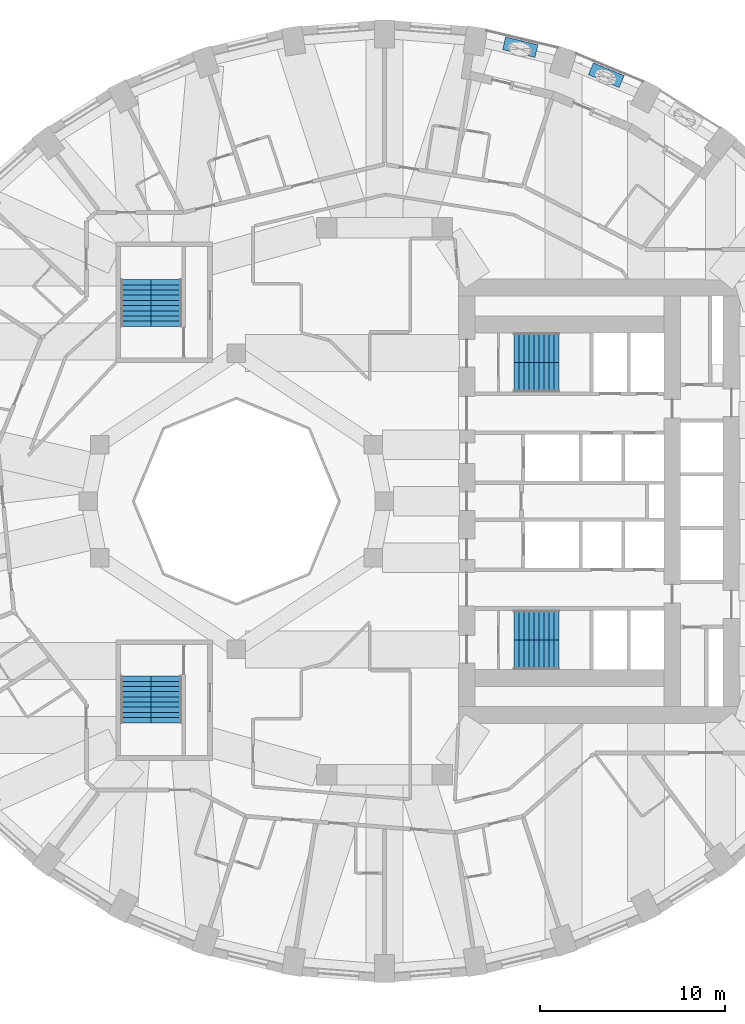
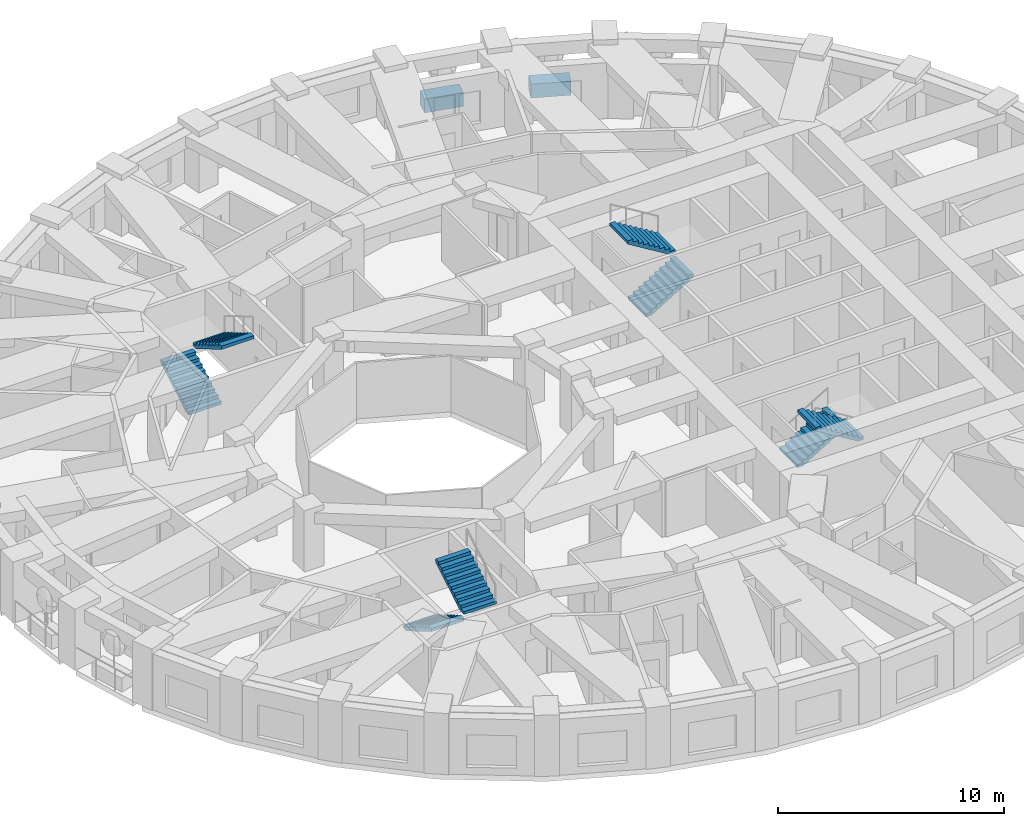
# One storey, part 10 of 13: 8 stair flights, 2 walls, 4 elements without a shape of their own.
"""IFC4 building model written with IfcOpenShell, lengths in metres."""

from ifc_helpers import new_model, si_unit, direction, frame, frame_2d, origin, place, context, subcontext, project, spatial, polyline, rectangle, outline, extrude, material, constituent, constituent_set, type_object, element, aggregate, save


model = new_model("IFC4")

# Units and contexts
model_context = context("Model", 3, precision=1e-05, world=origin(), true_north=direction((0.0, 1.0)))
body_context = subcontext(model_context, "Body", "Model", "MODEL_VIEW")
ifc_project = project(units=[si_unit("LENGTHUNIT", "METRE"), si_unit("AREAUNIT", "SQUARE_METRE"), si_unit("VOLUMEUNIT", "CUBIC_METRE"), si_unit("PLANEANGLEUNIT", "RADIAN"), si_unit("MASSUNIT", "GRAM", prefix="KILO")], contexts=[model_context])

# Site, building, storey
site_placement = place(None, origin())
site = spatial("IfcSite", under=ifc_project, at=site_placement, CompositionType="ELEMENT")
building_placement = place(site_placement, origin())
building = spatial("IfcBuilding", under=site, at=building_placement, Name="Taillehof Tower", CompositionType="ELEMENT")
storey_placement = place(building_placement, frame((0.0, 0.0, 67.89990234375)))
storey = spatial("IfcBuildingStorey", under=building, at=storey_placement, Name="L18", CompositionType="ELEMENT", Elevation=67.89990234375)

# Walls
ifc_material_1 = material(Name="Concrete C30/37 precast", Category="concrete")
ifc_constituent_1 = constituent(ifc_material_1, Name="Structure", Category="concrete")
ifc_material_2 = material(Name="Insulated lining")
ifc_constituent_2 = constituent(ifc_material_2, Name="Lining")
ifc_constituent_set = constituent_set(constituents=[ifc_constituent_1, ifc_constituent_2], Name="Planter trough 700x750")
wall_type = type_object("IfcWallType", Name="Planter trough 700x750", PredefinedType="USERDEFINED", material=ifc_constituent_set)
for number, where, z_axis, x_axis, name in (
    (1, (12.816650390625, 22.669677734375, 0.0), (0.0, 0.0, 1.0), (-0.923000660042, 0.384798364811, 0.0), "Planter L18 bay 7"),
    (2, (8.215087890625, 24.318115234375, 0.0), (0.0, 0.0, 1.0), (-0.972504142103, 0.232885580473, 0.0), "Planter L18 bay 8"),
):
    element("IfcWall", number, at=place(storey_placement, frame(where, z_axis=z_axis, x_axis=x_axis)), inside=storey, type_object=wall_type, Name=name, ObjectType="PLANTER", PredefinedType="USERDEFINED", context=body_context, shape_type="SweptSolid", body=[
        extrude(rectangle(XDim=1.800048828125, YDim=0.699951171875, at=frame_2d((0.89990234375, 0.0))), origin(), (0.0, 0.0, 1.0), 0.75),
    ])

# Stair, stair flights
ifc_material_3 = material(Name="Concrete C40/50", Category="concrete")
stair_type = type_object("IfcStairType", Name="Exit stair half-turn", PredefinedType="HALF_TURN_STAIR", material=ifc_material_3)
stair_1_placement = place(storey_placement, origin())
stair_1 = element("IfcStair", 3, at=stair_1_placement, inside=storey, type_object=stair_type, Name="Exit stair S1", PredefinedType="HALF_TURN_STAIR")
ifc_material_4 = material(Name="Concrete C40/50", Category="concrete")
stair_flight_type_1 = type_object("IfcStairFlightType", Name="Stair flight 1600 riser 165.0 going 270", PredefinedType="STRAIGHT", material=ifc_material_4)
stair_flight_1_placement = place(storey_placement, frame((7.0, 6.699951171875, 0.0), z_axis=(0.0, 0.0, 1.0), x_axis=(1.0, 0.0, 0.0)))
stair_flight_1 = element("IfcStairFlight", 4, at=stair_flight_1_placement, type_object=stair_flight_type_1, Name="S1 flight 1", NumberOfRisers=10, NumberOfTreads=9, PredefinedType="STRAIGHT", RiserHeight=0.165, TreadLength=0.27, context=body_context, shape_type="SweptSolid", body=[
    extrude(outline(polyline([(0.0, 0.0), (0.0, 0.00537109375), (0.0, 0.0107421875), (0.0, 0.015869140625), (0.0, 0.021240234375), (0.0, 0.026611328125), (0.0, 0.031982421875), (0.0, 0.037353515625), (0.0, 0.04248046875), (0.0, 0.0478515625), (0.0, 0.05322265625), (0.0, 0.05859375), (0.0, 0.06396484375), (0.0, 0.069091796875), (0.0, 0.074462890625), (0.0, 0.079833984375), (0.0, 0.085205078125), (0.0, 0.090576171875), (0.0, 0.095703125), (0.0, 0.10107421875), (0.0, 0.1064453125), (0.0, 0.11181640625), (0.0, 0.1171875), (0.0, 0.122314453125), (0.0, 0.127685546875), (0.0, 0.133056640625), (0.0, 0.138427734375), (0.0, 0.143798828125), (0.0, 0.14892578125), (0.0, 0.154296875), (0.0, 0.15966796875), (0.0, 0.1650390625), (0.27001953125, 0.1650390625), (0.27001953125, 0.330078125), (0.5400390625, 0.330078125), (0.5400390625, 0.4951171875), (0.81005859375, 0.4951171875), (0.81005859375, 0.659912109375), (1.080078125, 0.659912109375), (1.080078125, 0.824951171875), (1.35009765625, 0.824951171875), (1.35009765625, 0.989990234375), (1.6201171875, 0.989990234375), (1.6201171875, 1.155029296875), (1.889892578125, 1.155029296875), (1.889892578125, 1.320068359375), (2.159912109375, 1.320068359375), (2.159912109375, 1.485107421875), (2.429931640625, 1.485107421875), (2.429931640625, 1.479248046875), (2.429931640625, 1.4736328125), (2.429931640625, 1.468017578125), (2.429931640625, 1.46240234375), (2.429931640625, 1.45654296875), (2.429931640625, 1.450927734375), (2.429931640625, 1.4453125), (2.429931640625, 1.439697265625), (2.429931640625, 1.43408203125), (2.429931640625, 1.42822265625), (2.429931640625, 1.422607421875), (2.429931640625, 1.4169921875), (2.429931640625, 1.411376953125), (2.429931640625, 1.40576171875), (2.429931640625, 1.39990234375), (2.429931640625, 1.394287109375), (2.429931640625, 1.388671875), (2.429931640625, 1.383056640625), (2.429931640625, 1.37744140625), (2.429931640625, 1.37158203125), (2.429931640625, 1.365966796875), (2.429931640625, 1.3603515625), (2.429931640625, 1.354736328125), (2.429931640625, 1.348876953125), (2.429931640625, 1.34326171875), (2.429931640625, 1.337646484375), (2.429931640625, 1.33203125), (2.429931640625, 1.326416015625), (2.429931640625, 1.320556640625), (2.429931640625, 1.31494140625), (2.429931640625, 1.309326171875), (0.287353515625, 0.0), (0.0, 0.0)])), frame((0.0, 0.800048828125, 0.0), z_axis=(0.0, -1.0, 0.0), x_axis=(1.0, 0.0, 0.0)), (0.0, 0.0, 1.0), 1.6),
])
stair_flight_2_placement = place(storey_placement, frame((9.429931640625, 8.300048828125, 1.650146484375), z_axis=(0.0, 0.0, 1.0), x_axis=(-1.0, 0.0, 0.0)))
stair_flight_2 = element("IfcStairFlight", 5, at=stair_flight_2_placement, type_object=stair_flight_type_1, Name="S1 flight 2", NumberOfRisers=10, NumberOfTreads=9, PredefinedType="STRAIGHT", RiserHeight=0.165, TreadLength=0.27, context=body_context, shape_type="SweptSolid", body=[
    extrude(outline(polyline([(0.0, 0.0), (0.0, 0.00537109375), (0.0, 0.0107421875), (0.0, 0.015869140625), (0.0, 0.021240234375), (0.0, 0.026611328125), (0.0, 0.031982421875), (0.0, 0.037353515625), (0.0, 0.04248046875), (0.0, 0.0478515625), (0.0, 0.05322265625), (0.0, 0.05859375), (0.0, 0.06396484375), (0.0, 0.069091796875), (0.0, 0.074462890625), (0.0, 0.079833984375), (0.0, 0.085205078125), (0.0, 0.090576171875), (0.0, 0.095703125), (0.0, 0.10107421875), (0.0, 0.1064453125), (0.0, 0.11181640625), (0.0, 0.1171875), (0.0, 0.122314453125), (0.0, 0.127685546875), (0.0, 0.133056640625), (0.0, 0.138427734375), (0.0, 0.143798828125), (0.0, 0.14892578125), (0.0, 0.154296875), (0.0, 0.15966796875), (0.0, 0.1650390625), (0.27001953125, 0.1650390625), (0.27001953125, 0.330078125), (0.5400390625, 0.330078125), (0.5400390625, 0.4951171875), (0.81005859375, 0.4951171875), (0.81005859375, 0.659912109375), (1.080078125, 0.659912109375), (1.080078125, 0.824951171875), (1.35009765625, 0.824951171875), (1.35009765625, 0.989990234375), (1.6201171875, 0.989990234375), (1.6201171875, 1.155029296875), (1.889892578125, 1.155029296875), (1.889892578125, 1.320068359375), (2.159912109375, 1.320068359375), (2.159912109375, 1.485107421875), (2.429931640625, 1.485107421875), (2.429931640625, 1.479248046875), (2.429931640625, 1.4736328125), (2.429931640625, 1.468017578125), (2.429931640625, 1.46240234375), (2.429931640625, 1.45654296875), (2.429931640625, 1.450927734375), (2.429931640625, 1.4453125), (2.429931640625, 1.439697265625), (2.429931640625, 1.43408203125), (2.429931640625, 1.42822265625), (2.429931640625, 1.422607421875), (2.429931640625, 1.4169921875), (2.429931640625, 1.411376953125), (2.429931640625, 1.40576171875), (2.429931640625, 1.39990234375), (2.429931640625, 1.394287109375), (2.429931640625, 1.388671875), (2.429931640625, 1.383056640625), (2.429931640625, 1.37744140625), (2.429931640625, 1.37158203125), (2.429931640625, 1.365966796875), (2.429931640625, 1.3603515625), (2.429931640625, 1.354736328125), (2.429931640625, 1.348876953125), (2.429931640625, 1.34326171875), (2.429931640625, 1.337646484375), (2.429931640625, 1.33203125), (2.429931640625, 1.326416015625), (2.429931640625, 1.320556640625), (2.429931640625, 1.31494140625), (2.429931640625, 1.309326171875), (0.287353515625, 0.0), (0.0, 0.0)])), frame((0.0, 0.800048828125, 0.0), z_axis=(0.0, -1.0, 0.0), x_axis=(1.0, 0.0, 0.0)), (0.0, 0.0, 1.0), 1.6),
])
aggregate(stair_1, [stair_flight_1, stair_flight_2])

stair_2_placement = place(storey_placement, origin())
stair_2 = element("IfcStair", 6, at=stair_2_placement, inside=storey, type_object=stair_type, Name="Exit stair S2", PredefinedType="HALF_TURN_STAIR")
stair_flight_3_placement = place(storey_placement, frame((7.0, -6.699951171875, 0.0), z_axis=(0.0, 0.0, 1.0), x_axis=(1.0, 0.0, 0.0)))
stair_flight_3 = element("IfcStairFlight", 7, at=stair_flight_3_placement, type_object=stair_flight_type_1, Name="S2 flight 1", NumberOfRisers=10, NumberOfTreads=9, PredefinedType="STRAIGHT", RiserHeight=0.165, TreadLength=0.27, context=body_context, shape_type="SweptSolid", body=[
    extrude(outline(polyline([(0.0, 0.0), (0.0, 0.00537109375), (0.0, 0.0107421875), (0.0, 0.015869140625), (0.0, 0.021240234375), (0.0, 0.026611328125), (0.0, 0.031982421875), (0.0, 0.037353515625), (0.0, 0.04248046875), (0.0, 0.0478515625), (0.0, 0.05322265625), (0.0, 0.05859375), (0.0, 0.06396484375), (0.0, 0.069091796875), (0.0, 0.074462890625), (0.0, 0.079833984375), (0.0, 0.085205078125), (0.0, 0.090576171875), (0.0, 0.095703125), (0.0, 0.10107421875), (0.0, 0.1064453125), (0.0, 0.11181640625), (0.0, 0.1171875), (0.0, 0.122314453125), (0.0, 0.127685546875), (0.0, 0.133056640625), (0.0, 0.138427734375), (0.0, 0.143798828125), (0.0, 0.14892578125), (0.0, 0.154296875), (0.0, 0.15966796875), (0.0, 0.1650390625), (0.27001953125, 0.1650390625), (0.27001953125, 0.330078125), (0.5400390625, 0.330078125), (0.5400390625, 0.4951171875), (0.81005859375, 0.4951171875), (0.81005859375, 0.659912109375), (1.080078125, 0.659912109375), (1.080078125, 0.824951171875), (1.35009765625, 0.824951171875), (1.35009765625, 0.989990234375), (1.6201171875, 0.989990234375), (1.6201171875, 1.155029296875), (1.889892578125, 1.155029296875), (1.889892578125, 1.320068359375), (2.159912109375, 1.320068359375), (2.159912109375, 1.485107421875), (2.429931640625, 1.485107421875), (2.429931640625, 1.479248046875), (2.429931640625, 1.4736328125), (2.429931640625, 1.468017578125), (2.429931640625, 1.46240234375), (2.429931640625, 1.45654296875), (2.429931640625, 1.450927734375), (2.429931640625, 1.4453125), (2.429931640625, 1.439697265625), (2.429931640625, 1.43408203125), (2.429931640625, 1.42822265625), (2.429931640625, 1.422607421875), (2.429931640625, 1.4169921875), (2.429931640625, 1.411376953125), (2.429931640625, 1.40576171875), (2.429931640625, 1.39990234375), (2.429931640625, 1.394287109375), (2.429931640625, 1.388671875), (2.429931640625, 1.383056640625), (2.429931640625, 1.37744140625), (2.429931640625, 1.37158203125), (2.429931640625, 1.365966796875), (2.429931640625, 1.3603515625), (2.429931640625, 1.354736328125), (2.429931640625, 1.348876953125), (2.429931640625, 1.34326171875), (2.429931640625, 1.337646484375), (2.429931640625, 1.33203125), (2.429931640625, 1.326416015625), (2.429931640625, 1.320556640625), (2.429931640625, 1.31494140625), (2.429931640625, 1.309326171875), (0.287353515625, 0.0), (0.0, 0.0)])), frame((0.0, 0.800048828125, 0.0), z_axis=(0.0, -1.0, 0.0), x_axis=(1.0, 0.0, 0.0)), (0.0, 0.0, 1.0), 1.6),
])
stair_flight_4_placement = place(storey_placement, frame((9.429931640625, -8.300048828125, 1.650146484375), z_axis=(0.0, 0.0, 1.0), x_axis=(-1.0, 0.0, 0.0)))
stair_flight_4 = element("IfcStairFlight", 8, at=stair_flight_4_placement, type_object=stair_flight_type_1, Name="S2 flight 2", NumberOfRisers=10, NumberOfTreads=9, PredefinedType="STRAIGHT", RiserHeight=0.165, TreadLength=0.27, context=body_context, shape_type="SweptSolid", body=[
    extrude(outline(polyline([(0.0, 0.0), (0.0, 0.00537109375), (0.0, 0.0107421875), (0.0, 0.015869140625), (0.0, 0.021240234375), (0.0, 0.026611328125), (0.0, 0.031982421875), (0.0, 0.037353515625), (0.0, 0.04248046875), (0.0, 0.0478515625), (0.0, 0.05322265625), (0.0, 0.05859375), (0.0, 0.06396484375), (0.0, 0.069091796875), (0.0, 0.074462890625), (0.0, 0.079833984375), (0.0, 0.085205078125), (0.0, 0.090576171875), (0.0, 0.095703125), (0.0, 0.10107421875), (0.0, 0.1064453125), (0.0, 0.11181640625), (0.0, 0.1171875), (0.0, 0.122314453125), (0.0, 0.127685546875), (0.0, 0.133056640625), (0.0, 0.138427734375), (0.0, 0.143798828125), (0.0, 0.14892578125), (0.0, 0.154296875), (0.0, 0.15966796875), (0.0, 0.1650390625), (0.27001953125, 0.1650390625), (0.27001953125, 0.330078125), (0.5400390625, 0.330078125), (0.5400390625, 0.4951171875), (0.81005859375, 0.4951171875), (0.81005859375, 0.659912109375), (1.080078125, 0.659912109375), (1.080078125, 0.824951171875), (1.35009765625, 0.824951171875), (1.35009765625, 0.989990234375), (1.6201171875, 0.989990234375), (1.6201171875, 1.155029296875), (1.889892578125, 1.155029296875), (1.889892578125, 1.320068359375), (2.159912109375, 1.320068359375), (2.159912109375, 1.485107421875), (2.429931640625, 1.485107421875), (2.429931640625, 1.479248046875), (2.429931640625, 1.4736328125), (2.429931640625, 1.468017578125), (2.429931640625, 1.46240234375), (2.429931640625, 1.45654296875), (2.429931640625, 1.450927734375), (2.429931640625, 1.4453125), (2.429931640625, 1.439697265625), (2.429931640625, 1.43408203125), (2.429931640625, 1.42822265625), (2.429931640625, 1.422607421875), (2.429931640625, 1.4169921875), (2.429931640625, 1.411376953125), (2.429931640625, 1.40576171875), (2.429931640625, 1.39990234375), (2.429931640625, 1.394287109375), (2.429931640625, 1.388671875), (2.429931640625, 1.383056640625), (2.429931640625, 1.37744140625), (2.429931640625, 1.37158203125), (2.429931640625, 1.365966796875), (2.429931640625, 1.3603515625), (2.429931640625, 1.354736328125), (2.429931640625, 1.348876953125), (2.429931640625, 1.34326171875), (2.429931640625, 1.337646484375), (2.429931640625, 1.33203125), (2.429931640625, 1.326416015625), (2.429931640625, 1.320556640625), (2.429931640625, 1.31494140625), (2.429931640625, 1.309326171875), (0.287353515625, 0.0), (0.0, 0.0)])), frame((0.0, 0.800048828125, 0.0), z_axis=(0.0, -1.0, 0.0), x_axis=(1.0, 0.0, 0.0)), (0.0, 0.0, 1.0), 1.6),
])
aggregate(stair_2, [stair_flight_3, stair_flight_4])

stair_3_placement = place(storey_placement, origin())
stair_3 = element("IfcStair", 9, at=stair_3_placement, inside=storey, type_object=stair_type, Name="Exit stair S3", PredefinedType="HALF_TURN_STAIR")
ifc_material_5 = material(Name="Concrete C40/50", Category="concrete")
stair_flight_type_2 = type_object("IfcStairFlightType", Name="Stair flight 1650 riser 165.0 going 280", PredefinedType="STRAIGHT", material=ifc_material_5)
stair_flight_5_placement = place(storey_placement, frame((-13.425048828125, 9.449951171875, 0.0), z_axis=(0.0, 0.0, 1.0), x_axis=(0.0, 1.0, 0.0)))
stair_flight_5 = element("IfcStairFlight", 10, at=stair_flight_5_placement, type_object=stair_flight_type_2, Name="S3 flight 1", NumberOfRisers=10, NumberOfTreads=9, PredefinedType="STRAIGHT", RiserHeight=0.165, TreadLength=0.28, context=body_context, shape_type="SweptSolid", body=[
    extrude(outline(polyline([(0.0, 0.0), (0.0, 0.00537109375), (0.0, 0.0107421875), (0.0, 0.015869140625), (0.0, 0.021240234375), (0.0, 0.026611328125), (0.0, 0.031982421875), (0.0, 0.037353515625), (0.0, 0.04248046875), (0.0, 0.0478515625), (0.0, 0.05322265625), (0.0, 0.05859375), (0.0, 0.06396484375), (0.0, 0.069091796875), (0.0, 0.074462890625), (0.0, 0.079833984375), (0.0, 0.085205078125), (0.0, 0.090576171875), (0.0, 0.095703125), (0.0, 0.10107421875), (0.0, 0.1064453125), (0.0, 0.11181640625), (0.0, 0.1171875), (0.0, 0.122314453125), (0.0, 0.127685546875), (0.0, 0.133056640625), (0.0, 0.138427734375), (0.0, 0.143798828125), (0.0, 0.14892578125), (0.0, 0.154296875), (0.0, 0.15966796875), (0.0, 0.1650390625), (0.280029296875, 0.1650390625), (0.280029296875, 0.330078125), (0.56005859375, 0.330078125), (0.56005859375, 0.4951171875), (0.840087890625, 0.4951171875), (0.840087890625, 0.659912109375), (1.1201171875, 0.659912109375), (1.1201171875, 0.824951171875), (1.39990234375, 0.824951171875), (1.39990234375, 0.989990234375), (1.679931640625, 0.989990234375), (1.679931640625, 1.155029296875), (1.9599609375, 1.155029296875), (1.9599609375, 1.320068359375), (2.239990234375, 1.320068359375), (2.239990234375, 1.485107421875), (2.52001953125, 1.485107421875), (2.52001953125, 1.4794921875), (2.52001953125, 1.473876953125), (2.52001953125, 1.46826171875), (2.52001953125, 1.462646484375), (2.52001953125, 1.45703125), (2.52001953125, 1.451416015625), (2.52001953125, 1.44580078125), (2.52001953125, 1.440185546875), (2.52001953125, 1.4345703125), (2.52001953125, 1.428955078125), (2.52001953125, 1.42333984375), (2.52001953125, 1.417724609375), (2.52001953125, 1.412109375), (2.52001953125, 1.406494140625), (2.52001953125, 1.40087890625), (2.52001953125, 1.395263671875), (2.52001953125, 1.3896484375), (2.52001953125, 1.384033203125), (2.52001953125, 1.37841796875), (2.52001953125, 1.372802734375), (2.52001953125, 1.3671875), (2.52001953125, 1.361572265625), (2.52001953125, 1.35595703125), (2.52001953125, 1.350341796875), (2.52001953125, 1.3447265625), (2.52001953125, 1.339111328125), (2.52001953125, 1.33349609375), (2.52001953125, 1.327880859375), (2.52001953125, 1.322265625), (2.52001953125, 1.316650390625), (2.52001953125, 1.31103515625), (0.295166015625, 0.0), (0.0, 0.0)])), frame((0.0, 0.824951171875, 0.0), z_axis=(0.0, -1.0, 0.0), x_axis=(1.0, 0.0, 0.0)), (0.0, 0.0, 1.0), 1.65),
])
stair_flight_6_placement = place(storey_placement, frame((-11.77490234375, 11.969970703125, 1.650146484375), z_axis=(0.0, 0.0, 1.0), x_axis=(0.0, -1.0, 0.0)))
stair_flight_6 = element("IfcStairFlight", 11, at=stair_flight_6_placement, type_object=stair_flight_type_2, Name="S3 flight 2", NumberOfRisers=10, NumberOfTreads=9, PredefinedType="STRAIGHT", RiserHeight=0.165, TreadLength=0.28, context=body_context, shape_type="SweptSolid", body=[
    extrude(outline(polyline([(0.0, 0.0), (0.0, 0.00537109375), (0.0, 0.0107421875), (0.0, 0.015869140625), (0.0, 0.021240234375), (0.0, 0.026611328125), (0.0, 0.031982421875), (0.0, 0.037353515625), (0.0, 0.04248046875), (0.0, 0.0478515625), (0.0, 0.05322265625), (0.0, 0.05859375), (0.0, 0.06396484375), (0.0, 0.069091796875), (0.0, 0.074462890625), (0.0, 0.079833984375), (0.0, 0.085205078125), (0.0, 0.090576171875), (0.0, 0.095703125), (0.0, 0.10107421875), (0.0, 0.1064453125), (0.0, 0.11181640625), (0.0, 0.1171875), (0.0, 0.122314453125), (0.0, 0.127685546875), (0.0, 0.133056640625), (0.0, 0.138427734375), (0.0, 0.143798828125), (0.0, 0.14892578125), (0.0, 0.154296875), (0.0, 0.15966796875), (0.0, 0.1650390625), (0.280029296875, 0.1650390625), (0.280029296875, 0.330078125), (0.56005859375, 0.330078125), (0.56005859375, 0.4951171875), (0.840087890625, 0.4951171875), (0.840087890625, 0.659912109375), (1.1201171875, 0.659912109375), (1.1201171875, 0.824951171875), (1.39990234375, 0.824951171875), (1.39990234375, 0.989990234375), (1.679931640625, 0.989990234375), (1.679931640625, 1.155029296875), (1.9599609375, 1.155029296875), (1.9599609375, 1.320068359375), (2.239990234375, 1.320068359375), (2.239990234375, 1.485107421875), (2.52001953125, 1.485107421875), (2.52001953125, 1.4794921875), (2.52001953125, 1.473876953125), (2.52001953125, 1.46826171875), (2.52001953125, 1.462646484375), (2.52001953125, 1.45703125), (2.52001953125, 1.451416015625), (2.52001953125, 1.44580078125), (2.52001953125, 1.440185546875), (2.52001953125, 1.4345703125), (2.52001953125, 1.428955078125), (2.52001953125, 1.42333984375), (2.52001953125, 1.417724609375), (2.52001953125, 1.412109375), (2.52001953125, 1.406494140625), (2.52001953125, 1.40087890625), (2.52001953125, 1.395263671875), (2.52001953125, 1.3896484375), (2.52001953125, 1.384033203125), (2.52001953125, 1.37841796875), (2.52001953125, 1.372802734375), (2.52001953125, 1.3671875), (2.52001953125, 1.361572265625), (2.52001953125, 1.35595703125), (2.52001953125, 1.350341796875), (2.52001953125, 1.3447265625), (2.52001953125, 1.339111328125), (2.52001953125, 1.33349609375), (2.52001953125, 1.327880859375), (2.52001953125, 1.322265625), (2.52001953125, 1.316650390625), (2.52001953125, 1.31103515625), (0.295166015625, 0.0), (0.0, 0.0)])), frame((0.0, 0.824951171875, 0.0), z_axis=(0.0, -1.0, 0.0), x_axis=(1.0, 0.0, 0.0)), (0.0, 0.0, 1.0), 1.65),
])
aggregate(stair_3, [stair_flight_5, stair_flight_6])

stair_4_placement = place(storey_placement, origin())
stair_4 = element("IfcStair", 12, at=stair_4_placement, inside=storey, type_object=stair_type, Name="Exit stair S4", PredefinedType="HALF_TURN_STAIR")
stair_flight_7_placement = place(storey_placement, frame((-13.425048828125, -9.449951171875, 0.0), z_axis=(0.0, 0.0, 1.0), x_axis=(0.0, -1.0, 0.0)))
stair_flight_7 = element("IfcStairFlight", 13, at=stair_flight_7_placement, type_object=stair_flight_type_2, Name="S4 flight 1", NumberOfRisers=10, NumberOfTreads=9, PredefinedType="STRAIGHT", RiserHeight=0.165, TreadLength=0.28, context=body_context, shape_type="SweptSolid", body=[
    extrude(outline(polyline([(0.0, 0.0), (0.0, 0.00537109375), (0.0, 0.0107421875), (0.0, 0.015869140625), (0.0, 0.021240234375), (0.0, 0.026611328125), (0.0, 0.031982421875), (0.0, 0.037353515625), (0.0, 0.04248046875), (0.0, 0.0478515625), (0.0, 0.05322265625), (0.0, 0.05859375), (0.0, 0.06396484375), (0.0, 0.069091796875), (0.0, 0.074462890625), (0.0, 0.079833984375), (0.0, 0.085205078125), (0.0, 0.090576171875), (0.0, 0.095703125), (0.0, 0.10107421875), (0.0, 0.1064453125), (0.0, 0.11181640625), (0.0, 0.1171875), (0.0, 0.122314453125), (0.0, 0.127685546875), (0.0, 0.133056640625), (0.0, 0.138427734375), (0.0, 0.143798828125), (0.0, 0.14892578125), (0.0, 0.154296875), (0.0, 0.15966796875), (0.0, 0.1650390625), (0.280029296875, 0.1650390625), (0.280029296875, 0.330078125), (0.56005859375, 0.330078125), (0.56005859375, 0.4951171875), (0.840087890625, 0.4951171875), (0.840087890625, 0.659912109375), (1.1201171875, 0.659912109375), (1.1201171875, 0.824951171875), (1.39990234375, 0.824951171875), (1.39990234375, 0.989990234375), (1.679931640625, 0.989990234375), (1.679931640625, 1.155029296875), (1.9599609375, 1.155029296875), (1.9599609375, 1.320068359375), (2.239990234375, 1.320068359375), (2.239990234375, 1.485107421875), (2.52001953125, 1.485107421875), (2.52001953125, 1.4794921875), (2.52001953125, 1.473876953125), (2.52001953125, 1.46826171875), (2.52001953125, 1.462646484375), (2.52001953125, 1.45703125), (2.52001953125, 1.451416015625), (2.52001953125, 1.44580078125), (2.52001953125, 1.440185546875), (2.52001953125, 1.4345703125), (2.52001953125, 1.428955078125), (2.52001953125, 1.42333984375), (2.52001953125, 1.417724609375), (2.52001953125, 1.412109375), (2.52001953125, 1.406494140625), (2.52001953125, 1.40087890625), (2.52001953125, 1.395263671875), (2.52001953125, 1.3896484375), (2.52001953125, 1.384033203125), (2.52001953125, 1.37841796875), (2.52001953125, 1.372802734375), (2.52001953125, 1.3671875), (2.52001953125, 1.361572265625), (2.52001953125, 1.35595703125), (2.52001953125, 1.350341796875), (2.52001953125, 1.3447265625), (2.52001953125, 1.339111328125), (2.52001953125, 1.33349609375), (2.52001953125, 1.327880859375), (2.52001953125, 1.322265625), (2.52001953125, 1.316650390625), (2.52001953125, 1.31103515625), (0.295166015625, 0.0), (0.0, 0.0)])), frame((0.0, 0.824951171875, 0.0), z_axis=(0.0, -1.0, 0.0), x_axis=(1.0, 0.0, 0.0)), (0.0, 0.0, 1.0), 1.65),
])
stair_flight_8_placement = place(storey_placement, frame((-11.77490234375, -11.969970703125, 1.650146484375), z_axis=(0.0, 0.0, 1.0), x_axis=(0.0, 1.0, 0.0)))
stair_flight_8 = element("IfcStairFlight", 14, at=stair_flight_8_placement, type_object=stair_flight_type_2, Name="S4 flight 2", NumberOfRisers=10, NumberOfTreads=9, PredefinedType="STRAIGHT", RiserHeight=0.165, TreadLength=0.28, context=body_context, shape_type="SweptSolid", body=[
    extrude(outline(polyline([(0.0, 0.0), (0.0, 0.00537109375), (0.0, 0.0107421875), (0.0, 0.015869140625), (0.0, 0.021240234375), (0.0, 0.026611328125), (0.0, 0.031982421875), (0.0, 0.037353515625), (0.0, 0.04248046875), (0.0, 0.0478515625), (0.0, 0.05322265625), (0.0, 0.05859375), (0.0, 0.06396484375), (0.0, 0.069091796875), (0.0, 0.074462890625), (0.0, 0.079833984375), (0.0, 0.085205078125), (0.0, 0.090576171875), (0.0, 0.095703125), (0.0, 0.10107421875), (0.0, 0.1064453125), (0.0, 0.11181640625), (0.0, 0.1171875), (0.0, 0.122314453125), (0.0, 0.127685546875), (0.0, 0.133056640625), (0.0, 0.138427734375), (0.0, 0.143798828125), (0.0, 0.14892578125), (0.0, 0.154296875), (0.0, 0.15966796875), (0.0, 0.1650390625), (0.280029296875, 0.1650390625), (0.280029296875, 0.330078125), (0.56005859375, 0.330078125), (0.56005859375, 0.4951171875), (0.840087890625, 0.4951171875), (0.840087890625, 0.659912109375), (1.1201171875, 0.659912109375), (1.1201171875, 0.824951171875), (1.39990234375, 0.824951171875), (1.39990234375, 0.989990234375), (1.679931640625, 0.989990234375), (1.679931640625, 1.155029296875), (1.9599609375, 1.155029296875), (1.9599609375, 1.320068359375), (2.239990234375, 1.320068359375), (2.239990234375, 1.485107421875), (2.52001953125, 1.485107421875), (2.52001953125, 1.4794921875), (2.52001953125, 1.473876953125), (2.52001953125, 1.46826171875), (2.52001953125, 1.462646484375), (2.52001953125, 1.45703125), (2.52001953125, 1.451416015625), (2.52001953125, 1.44580078125), (2.52001953125, 1.440185546875), (2.52001953125, 1.4345703125), (2.52001953125, 1.428955078125), (2.52001953125, 1.42333984375), (2.52001953125, 1.417724609375), (2.52001953125, 1.412109375), (2.52001953125, 1.406494140625), (2.52001953125, 1.40087890625), (2.52001953125, 1.395263671875), (2.52001953125, 1.3896484375), (2.52001953125, 1.384033203125), (2.52001953125, 1.37841796875), (2.52001953125, 1.372802734375), (2.52001953125, 1.3671875), (2.52001953125, 1.361572265625), (2.52001953125, 1.35595703125), (2.52001953125, 1.350341796875), (2.52001953125, 1.3447265625), (2.52001953125, 1.339111328125), (2.52001953125, 1.33349609375), (2.52001953125, 1.327880859375), (2.52001953125, 1.322265625), (2.52001953125, 1.316650390625), (2.52001953125, 1.31103515625), (0.295166015625, 0.0), (0.0, 0.0)])), frame((0.0, 0.824951171875, 0.0), z_axis=(0.0, -1.0, 0.0), x_axis=(1.0, 0.0, 0.0)), (0.0, 0.0, 1.0), 1.65),
])
aggregate(stair_4, [stair_flight_7, stair_flight_8])

save(model, "model.ifc")
